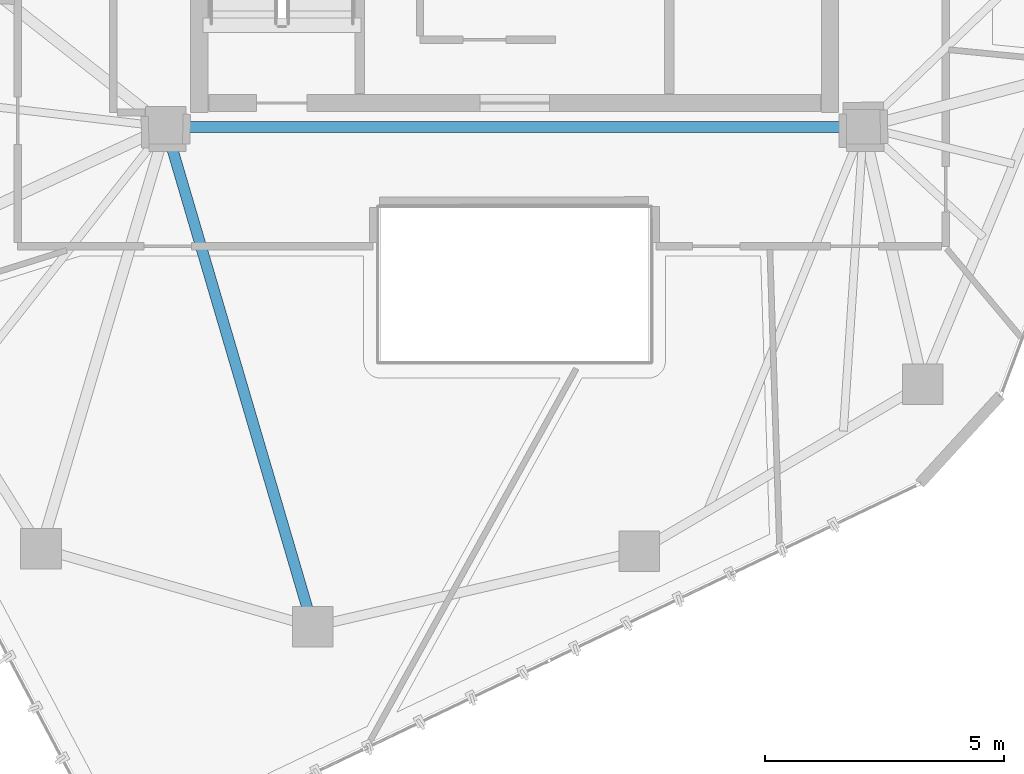
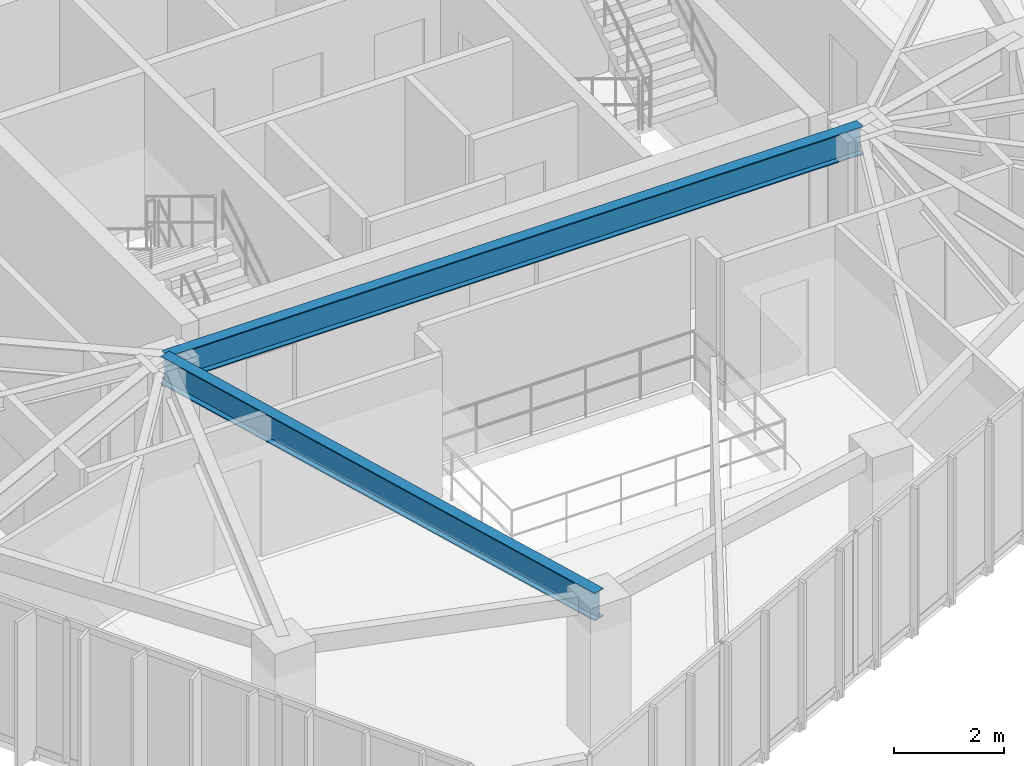
# One storey, part 5 of 20: 2 beams.
"""IFC4 building model written with IfcOpenShell, lengths in metres."""

from ifc_helpers import new_model, si_unit, direction, frame, origin, origin_2d, place, context, subcontext, project, spatial, i_section, extrude, material, material_profile, profile_set, type_object, element, save


model = new_model("IFC4")

# Units and contexts
model_context = context("Model", 3, precision=1e-05, world=origin(), true_north=direction((0.0, 1.0)))
body_context = subcontext(model_context, "Body", "Model", "MODEL_VIEW")
ifc_project = project(units=[si_unit("LENGTHUNIT", "METRE"), si_unit("AREAUNIT", "SQUARE_METRE"), si_unit("VOLUMEUNIT", "CUBIC_METRE"), si_unit("PLANEANGLEUNIT", "RADIAN"), si_unit("MASSUNIT", "GRAM", prefix="KILO")], contexts=[model_context])

# Site, building, storey
site_placement = place(None, origin())
site = spatial("IfcSite", under=ifc_project, at=site_placement, CompositionType="ELEMENT")
building_placement = place(site_placement, origin())
building = spatial("IfcBuilding", under=site, at=building_placement, Name="Talar Marvaseh", CompositionType="ELEMENT")
storey_placement = place(building_placement, frame((0.0, 0.0, 268.0)))
storey = spatial("IfcBuildingStorey", under=building, at=storey_placement, Name="L71", CompositionType="ELEMENT", Elevation=268.0)

# Beams
ifc_material = material(Name="Steel S355", Category="steel")
ifc_material_profile = material_profile(ifc_material, i_section(OverallWidth=0.22998046875, OverallDepth=0.616943359375, WebThickness=0.01318359375, FlangeThickness=0.022216796875, at=origin_2d()), Name="W610x140")
ifc_profile_set = profile_set([ifc_material_profile], Name="Steel S355")
beam_type = type_object("IfcBeamType", Name="Zone 4 Radial Floor Girder W610x140", PredefinedType="BEAM", material=ifc_profile_set)
beam_1_placement = place(storey_placement, frame((18.699951171875, 25.5, 2.83154296875), z_axis=(1.0, 0.0, 0.0), x_axis=(0.0, 1.0, 0.0)))
element("IfcBeam", 1, at=beam_1_placement, inside=storey, type_object=beam_type, Name="L71 Zone 4 Radial Floor Girder W610x140", PredefinedType="BEAM", context=body_context, shape_type="SweptSolid", body=[
    extrude(i_section(OverallWidth=0.22998046875, OverallDepth=0.616943359375, WebThickness=0.01318359375, FlangeThickness=0.022216796875, at=origin_2d()), origin(), (0.0, 0.0, 1.0), 14.60009765625),
])
beam_2_placement = place(storey_placement, frame((21.77587890625, 15.0400390625, 2.83154296875), z_axis=(-0.28212146763, 0.959378693479, 0.0), x_axis=(-0.959378693479, -0.28212146763, 0.0)))
element("IfcBeam", 2, at=beam_2_placement, inside=storey, type_object=beam_type, Name="L71 Zone 4 Radial Floor Girder W610x140", PredefinedType="BEAM", context=body_context, shape_type="SweptSolid", body=[
    extrude(i_section(OverallWidth=0.22998046875, OverallDepth=0.616943359375, WebThickness=0.01318359375, FlangeThickness=0.022216796875, at=origin_2d()), origin(), (0.0, 0.0, 1.0), 10.90283203125),
])

save(model, "model.ifc")
